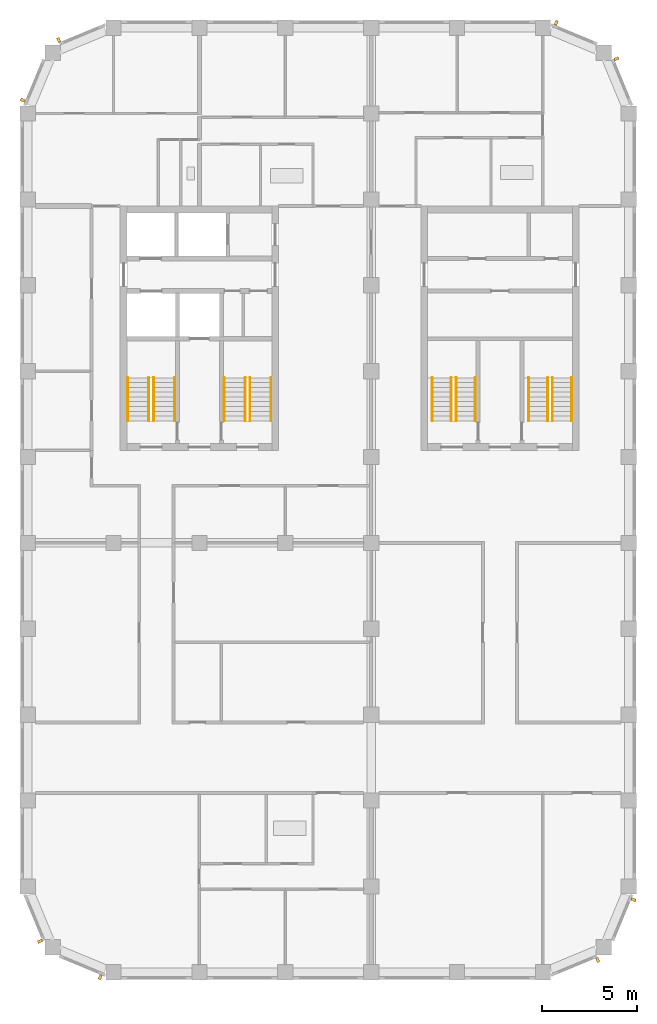
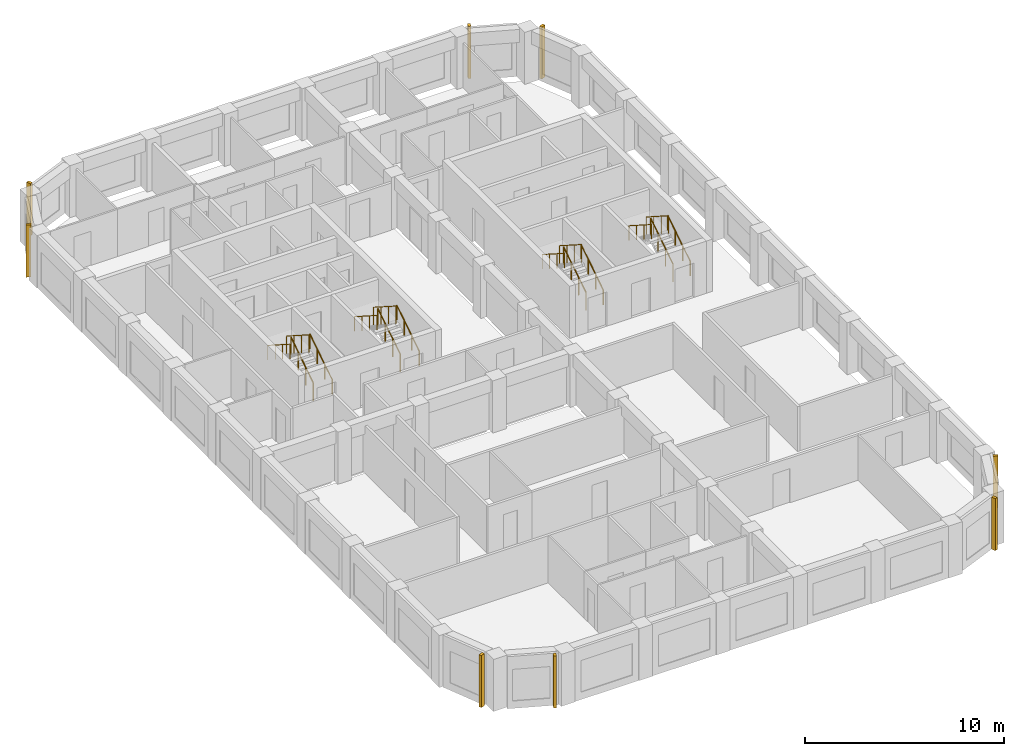
# One storey, part 8 of 9: 16 railings, 8 shading devices.
"""IFC4 building model written with IfcOpenShell, lengths in metres."""

from ifc_helpers import new_model, si_unit, direction, frame, origin, origin_2d, place, context, subcontext, project, spatial, rectangle, circle, extrude, material, type_object, element, save


model = new_model("IFC4")

# Units and contexts
model_context = context("Model", 3, precision=1e-05, world=origin(), true_north=direction((0.0, 1.0)))
body_context = subcontext(model_context, "Body", "Model", "MODEL_VIEW")
ifc_project = project(units=[si_unit("LENGTHUNIT", "METRE"), si_unit("AREAUNIT", "SQUARE_METRE"), si_unit("VOLUMEUNIT", "CUBIC_METRE"), si_unit("PLANEANGLEUNIT", "RADIAN"), si_unit("MASSUNIT", "GRAM", prefix="KILO")], contexts=[model_context])

# Site, building, storey
site_placement = place(None, origin())
site = spatial("IfcSite", under=ifc_project, at=site_placement, CompositionType="ELEMENT")
building_placement = place(site_placement, origin())
building = spatial("IfcBuilding", under=site, at=building_placement, Name="Girih Gate Residences", CompositionType="ELEMENT")
storey_placement = place(building_placement, frame((0.0, 0.0, 213.294921875)))
storey = spatial("IfcBuildingStorey", under=building, at=storey_placement, Name="L59", CompositionType="ELEMENT", Elevation=213.294921875)

# Shading devices
ifc_material_1 = material(Name="Precast concrete C50/60", Category="concrete")
shading_device_type = type_object("IfcShadingDeviceType", Name="Corner rib 150x250", PredefinedType="USERDEFINED", material=ifc_material_1)
for number, where, z_axis, x_axis, name in (
    (1, (29.867919921875, 0.646728515625, 0.0), (0.0, 0.0, 1.0), (0.923879532511, 0.382683432365, 0.0), "Corner rib SE0270_0000.0"),
    (2, (31.752685546875, 3.80322265625, 0.0), (0.0, 0.0, 1.0), (0.382683432365, 0.923879532511, 0.0), "Corner rib SE0302_0013.0"),
    (3, (30.853271484375, 47.867919921875, 0.0), (0.0, 0.0, 1.0), (-0.382683432365, 0.923879532511, 0.0), "Corner rib NE0315_0450.0"),
    (4, (27.69677734375, 49.752685546875, 0.0), (0.0, 0.0, 1.0), (-0.923879532511, 0.382683432365, 0.0), "Corner rib NE0302_0482.0"),
    (5, (1.632080078125, 48.853271484375, 0.0), (0.0, 0.0, 1.0), (-0.923879532511, -0.382683432365, 0.0), "Corner rib NW0045_0495.0"),
    (6, (-0.252685546875, 45.69677734375, 0.0), (0.0, 0.0, 1.0), (-0.382683432365, -0.923879532511, 0.0), "Corner rib NW0013_0482.0"),
    (7, (0.646728515625, 1.632080078125, 0.0), (0.0, 0.0, 1.0), (0.382683432365, -0.923879532511, 0.0), "Corner rib SW0000_0045.0"),
    (8, (3.80322265625, -0.252685546875, 0.0), (0.0, 0.0, 1.0), (0.923879532511, -0.382683432365, 0.0), "Corner rib SW0013_0013.0"),
):
    element("IfcShadingDevice", number, at=place(storey_placement, frame(where, z_axis=z_axis, x_axis=x_axis)), inside=storey, type_object=shading_device_type, Name=name, ObjectType="FIN", PredefinedType="USERDEFINED", context=body_context, shape_type="SweptSolid", body=[
        extrude(rectangle(XDim=0.14990234375, YDim=0.25, at=origin_2d()), origin(), (0.0, 0.0, 1.0), 3.199951171875),
    ])

# Railings
ifc_material_2 = material(Name="Stainless steel", Category="steel")
railing_type_1 = type_object("IfcRailingType", Name="Stair guard 1100", PredefinedType="GUARDRAIL", material=ifc_material_2)
railing_1_placement = place(storey_placement, frame((6.60009765625, 28.89990234375, 0.16015625)))
element("IfcRailing", 9, at=railing_1_placement, inside=storey, type_object=railing_type_1, Name="L59 ST-W1 stair guard 1", PredefinedType="GUARDRAIL", context=body_context, shape_type="SweptSolid", body=[
    extrude(circle(Radius=0.02392578125, at=origin_2d()), frame((0.0, 0.0, 1.076171875), z_axis=(0.0, 0.842281359387, 0.539038135598), x_axis=(-1.0, 0.0, 0.0)), (0.0, 0.0, 1.0), 2.67138671875),
    extrude(circle(Radius=0.02099609375, at=origin_2d()), origin(), (0.0, 0.0, 1.0), 1.052001953125),
    extrude(circle(Radius=0.02099609375, at=origin_2d()), frame((0.0, 0.75, 0.47998046875)), (0.0, 0.0, 1.0), 1.052001953125),
    extrude(circle(Radius=0.02099609375, at=origin_2d()), frame((0.0, 1.5, 0.9599609375)), (0.0, 0.0, 1.0), 1.052001953125),
    extrude(circle(Radius=0.02099609375, at=origin_2d()), frame((0.0, 2.25, 1.43994140625)), (0.0, 0.0, 1.0), 1.052001953125),
])
railing_2_placement = place(storey_placement, frame((6.35009765625, 31.14990234375, 1.760009765625)))
element("IfcRailing", 10, at=railing_2_placement, inside=storey, type_object=railing_type_1, Name="L59 ST-W1 stair guard 2", PredefinedType="GUARDRAIL", context=body_context, shape_type="SweptSolid", body=[
    extrude(circle(Radius=0.02392578125, at=origin_2d()), frame((0.0, 0.0, 1.076171875), z_axis=(0.0, -0.842239864353, 0.539102968731), x_axis=(1.0, 0.0, 0.0)), (0.0, 0.0, 1.0), 2.67138671875),
    extrude(circle(Radius=0.02099609375, at=origin_2d()), origin(), (0.0, 0.0, 1.0), 1.052001953125),
    extrude(circle(Radius=0.02099609375, at=origin_2d()), frame((0.0, -0.75, 0.47998046875)), (0.0, 0.0, 1.0), 1.052001953125),
    extrude(circle(Radius=0.02099609375, at=origin_2d()), frame((0.0, -1.5, 0.960205078125)), (0.0, 0.0, 1.0), 1.052001953125),
    extrude(circle(Radius=0.02099609375, at=origin_2d()), frame((0.0, -2.25, 1.440185546875)), (0.0, 0.0, 1.0), 1.052001953125),
])
railing_3_placement = place(storey_placement, frame((11.64990234375, 28.89990234375, 0.16015625)))
element("IfcRailing", 11, at=railing_3_placement, inside=storey, type_object=railing_type_1, Name="L59 ST-W2 stair guard 1", PredefinedType="GUARDRAIL", context=body_context, shape_type="SweptSolid", body=[
    extrude(circle(Radius=0.02392578125, at=origin_2d()), frame((0.0, 0.0, 1.076171875), z_axis=(0.0, 0.842281359387, 0.539038135598), x_axis=(-1.0, 0.0, 0.0)), (0.0, 0.0, 1.0), 2.67138671875),
    extrude(circle(Radius=0.02099609375, at=origin_2d()), origin(), (0.0, 0.0, 1.0), 1.052001953125),
    extrude(circle(Radius=0.02099609375, at=origin_2d()), frame((0.0, 0.75, 0.47998046875)), (0.0, 0.0, 1.0), 1.052001953125),
    extrude(circle(Radius=0.02099609375, at=origin_2d()), frame((0.0, 1.5, 0.9599609375)), (0.0, 0.0, 1.0), 1.052001953125),
    extrude(circle(Radius=0.02099609375, at=origin_2d()), frame((0.0, 2.25, 1.43994140625)), (0.0, 0.0, 1.0), 1.052001953125),
])
railing_4_placement = place(storey_placement, frame((11.39990234375, 31.14990234375, 1.760009765625)))
element("IfcRailing", 12, at=railing_4_placement, inside=storey, type_object=railing_type_1, Name="L59 ST-W2 stair guard 2", PredefinedType="GUARDRAIL", context=body_context, shape_type="SweptSolid", body=[
    extrude(circle(Radius=0.02392578125, at=origin_2d()), frame((0.0, 0.0, 1.076171875), z_axis=(0.0, -0.842239864353, 0.539102968731), x_axis=(1.0, 0.0, 0.0)), (0.0, 0.0, 1.0), 2.67138671875),
    extrude(circle(Radius=0.02099609375, at=origin_2d()), origin(), (0.0, 0.0, 1.0), 1.052001953125),
    extrude(circle(Radius=0.02099609375, at=origin_2d()), frame((0.0, -0.75, 0.47998046875)), (0.0, 0.0, 1.0), 1.052001953125),
    extrude(circle(Radius=0.02099609375, at=origin_2d()), frame((0.0, -1.5, 0.960205078125)), (0.0, 0.0, 1.0), 1.052001953125),
    extrude(circle(Radius=0.02099609375, at=origin_2d()), frame((0.0, -2.25, 1.440185546875)), (0.0, 0.0, 1.0), 1.052001953125),
])
railing_5_placement = place(storey_placement, frame((22.449951171875, 28.89990234375, 0.16015625)))
element("IfcRailing", 13, at=railing_5_placement, inside=storey, type_object=railing_type_1, Name="L59 ST-C1 stair guard 1", PredefinedType="GUARDRAIL", context=body_context, shape_type="SweptSolid", body=[
    extrude(circle(Radius=0.02392578125, at=origin_2d()), frame((0.0, 0.0, 1.076171875), z_axis=(0.0, 0.842281359387, 0.539038135598), x_axis=(-1.0, 0.0, 0.0)), (0.0, 0.0, 1.0), 2.67138671875),
    extrude(circle(Radius=0.02099609375, at=origin_2d()), origin(), (0.0, 0.0, 1.0), 1.052001953125),
    extrude(circle(Radius=0.02099609375, at=origin_2d()), frame((0.0, 0.75, 0.47998046875)), (0.0, 0.0, 1.0), 1.052001953125),
    extrude(circle(Radius=0.02099609375, at=origin_2d()), frame((0.0, 1.5, 0.9599609375)), (0.0, 0.0, 1.0), 1.052001953125),
    extrude(circle(Radius=0.02099609375, at=origin_2d()), frame((0.0, 2.25, 1.43994140625)), (0.0, 0.0, 1.0), 1.052001953125),
])
railing_6_placement = place(storey_placement, frame((22.199951171875, 31.14990234375, 1.760009765625)))
element("IfcRailing", 14, at=railing_6_placement, inside=storey, type_object=railing_type_1, Name="L59 ST-C1 stair guard 2", PredefinedType="GUARDRAIL", context=body_context, shape_type="SweptSolid", body=[
    extrude(circle(Radius=0.02392578125, at=origin_2d()), frame((0.0, 0.0, 1.076171875), z_axis=(0.0, -0.842239864353, 0.539102968731), x_axis=(1.0, 0.0, 0.0)), (0.0, 0.0, 1.0), 2.67138671875),
    extrude(circle(Radius=0.02099609375, at=origin_2d()), origin(), (0.0, 0.0, 1.0), 1.052001953125),
    extrude(circle(Radius=0.02099609375, at=origin_2d()), frame((0.0, -0.75, 0.47998046875)), (0.0, 0.0, 1.0), 1.052001953125),
    extrude(circle(Radius=0.02099609375, at=origin_2d()), frame((0.0, -1.5, 0.960205078125)), (0.0, 0.0, 1.0), 1.052001953125),
    extrude(circle(Radius=0.02099609375, at=origin_2d()), frame((0.0, -2.25, 1.440185546875)), (0.0, 0.0, 1.0), 1.052001953125),
])
railing_7_placement = place(storey_placement, frame((27.5, 28.89990234375, 0.16015625)))
element("IfcRailing", 15, at=railing_7_placement, inside=storey, type_object=railing_type_1, Name="L59 ST-C2 stair guard 1", PredefinedType="GUARDRAIL", context=body_context, shape_type="SweptSolid", body=[
    extrude(circle(Radius=0.02392578125, at=origin_2d()), frame((0.0, 0.0, 1.076171875), z_axis=(0.0, 0.842281359387, 0.539038135598), x_axis=(-1.0, 0.0, 0.0)), (0.0, 0.0, 1.0), 2.67138671875),
    extrude(circle(Radius=0.02099609375, at=origin_2d()), origin(), (0.0, 0.0, 1.0), 1.052001953125),
    extrude(circle(Radius=0.02099609375, at=origin_2d()), frame((0.0, 0.75, 0.47998046875)), (0.0, 0.0, 1.0), 1.052001953125),
    extrude(circle(Radius=0.02099609375, at=origin_2d()), frame((0.0, 1.5, 0.9599609375)), (0.0, 0.0, 1.0), 1.052001953125),
    extrude(circle(Radius=0.02099609375, at=origin_2d()), frame((0.0, 2.25, 1.43994140625)), (0.0, 0.0, 1.0), 1.052001953125),
])
railing_8_placement = place(storey_placement, frame((27.25, 31.14990234375, 1.760009765625)))
element("IfcRailing", 16, at=railing_8_placement, inside=storey, type_object=railing_type_1, Name="L59 ST-C2 stair guard 2", PredefinedType="GUARDRAIL", context=body_context, shape_type="SweptSolid", body=[
    extrude(circle(Radius=0.02392578125, at=origin_2d()), frame((0.0, 0.0, 1.076171875), z_axis=(0.0, -0.842239864353, 0.539102968731), x_axis=(1.0, 0.0, 0.0)), (0.0, 0.0, 1.0), 2.67138671875),
    extrude(circle(Radius=0.02099609375, at=origin_2d()), origin(), (0.0, 0.0, 1.0), 1.052001953125),
    extrude(circle(Radius=0.02099609375, at=origin_2d()), frame((0.0, -0.75, 0.47998046875)), (0.0, 0.0, 1.0), 1.052001953125),
    extrude(circle(Radius=0.02099609375, at=origin_2d()), frame((0.0, -1.5, 0.960205078125)), (0.0, 0.0, 1.0), 1.052001953125),
    extrude(circle(Radius=0.02099609375, at=origin_2d()), frame((0.0, -2.25, 1.440185546875)), (0.0, 0.0, 1.0), 1.052001953125),
])
railing_type_2 = type_object("IfcRailingType", Name="Stair handrail 900", PredefinedType="HANDRAIL", material=ifc_material_2)
railing_9_placement = place(storey_placement, frame((7.699951171875, 28.89990234375, 0.16015625)))
element("IfcRailing", 17, at=railing_9_placement, inside=storey, type_object=railing_type_2, Name="L59 ST-W1 stair handrail 1", PredefinedType="HANDRAIL", context=body_context, shape_type="SweptSolid", body=[
    extrude(circle(Radius=0.02392578125, at=origin_2d()), frame((0.0, 0.0, 0.8857421875), z_axis=(0.0, 0.842281359387, 0.539038135598), x_axis=(-1.0, 0.0, 0.0)), (0.0, 0.0, 1.0), 2.67138671875),
    extrude(circle(Radius=0.02099609375, at=origin_2d()), origin(), (0.0, 0.0, 1.0), 0.86181640625),
    extrude(circle(Radius=0.02099609375, at=origin_2d()), frame((0.0, 0.75, 0.47998046875)), (0.0, 0.0, 1.0), 0.86181640625),
    extrude(circle(Radius=0.02099609375, at=origin_2d()), frame((0.0, 1.5, 0.9599609375)), (0.0, 0.0, 1.0), 0.86181640625),
    extrude(circle(Radius=0.02099609375, at=origin_2d()), frame((0.0, 2.25, 1.43994140625)), (0.0, 0.0, 1.0), 0.86181640625),
])
railing_10_placement = place(storey_placement, frame((5.25, 31.14990234375, 1.760009765625)))
element("IfcRailing", 18, at=railing_10_placement, inside=storey, type_object=railing_type_2, Name="L59 ST-W1 stair handrail 2", PredefinedType="HANDRAIL", context=body_context, shape_type="SweptSolid", body=[
    extrude(circle(Radius=0.02392578125, at=origin_2d()), frame((0.0, 0.0, 0.8857421875), z_axis=(0.0, -0.842239864353, 0.539102968731), x_axis=(1.0, 0.0, 0.0)), (0.0, 0.0, 1.0), 2.67138671875),
    extrude(circle(Radius=0.02099609375, at=origin_2d()), origin(), (0.0, 0.0, 1.0), 0.86181640625),
    extrude(circle(Radius=0.02099609375, at=origin_2d()), frame((0.0, -0.75, 0.47998046875)), (0.0, 0.0, 1.0), 0.86181640625),
    extrude(circle(Radius=0.02099609375, at=origin_2d()), frame((0.0, -1.5, 0.960205078125)), (0.0, 0.0, 1.0), 0.86181640625),
    extrude(circle(Radius=0.02099609375, at=origin_2d()), frame((0.0, -2.25, 1.440185546875)), (0.0, 0.0, 1.0), 0.86181640625),
])
railing_11_placement = place(storey_placement, frame((12.75, 28.89990234375, 0.16015625)))
element("IfcRailing", 19, at=railing_11_placement, inside=storey, type_object=railing_type_2, Name="L59 ST-W2 stair handrail 1", PredefinedType="HANDRAIL", context=body_context, shape_type="SweptSolid", body=[
    extrude(circle(Radius=0.02392578125, at=origin_2d()), frame((0.0, 0.0, 0.8857421875), z_axis=(0.0, 0.842281359387, 0.539038135598), x_axis=(-1.0, 0.0, 0.0)), (0.0, 0.0, 1.0), 2.67138671875),
    extrude(circle(Radius=0.02099609375, at=origin_2d()), origin(), (0.0, 0.0, 1.0), 0.86181640625),
    extrude(circle(Radius=0.02099609375, at=origin_2d()), frame((0.0, 0.75, 0.47998046875)), (0.0, 0.0, 1.0), 0.86181640625),
    extrude(circle(Radius=0.02099609375, at=origin_2d()), frame((0.0, 1.5, 0.9599609375)), (0.0, 0.0, 1.0), 0.86181640625),
    extrude(circle(Radius=0.02099609375, at=origin_2d()), frame((0.0, 2.25, 1.43994140625)), (0.0, 0.0, 1.0), 0.86181640625),
])
railing_12_placement = place(storey_placement, frame((10.300048828125, 31.14990234375, 1.760009765625)))
element("IfcRailing", 20, at=railing_12_placement, inside=storey, type_object=railing_type_2, Name="L59 ST-W2 stair handrail 2", PredefinedType="HANDRAIL", context=body_context, shape_type="SweptSolid", body=[
    extrude(circle(Radius=0.02392578125, at=origin_2d()), frame((0.0, 0.0, 0.8857421875), z_axis=(0.0, -0.842239864353, 0.539102968731), x_axis=(1.0, 0.0, 0.0)), (0.0, 0.0, 1.0), 2.67138671875),
    extrude(circle(Radius=0.02099609375, at=origin_2d()), origin(), (0.0, 0.0, 1.0), 0.86181640625),
    extrude(circle(Radius=0.02099609375, at=origin_2d()), frame((0.0, -0.75, 0.47998046875)), (0.0, 0.0, 1.0), 0.86181640625),
    extrude(circle(Radius=0.02099609375, at=origin_2d()), frame((0.0, -1.5, 0.960205078125)), (0.0, 0.0, 1.0), 0.86181640625),
    extrude(circle(Radius=0.02099609375, at=origin_2d()), frame((0.0, -2.25, 1.440185546875)), (0.0, 0.0, 1.0), 0.86181640625),
])
railing_13_placement = place(storey_placement, frame((23.449951171875, 28.89990234375, 0.16015625)))
element("IfcRailing", 21, at=railing_13_placement, inside=storey, type_object=railing_type_2, Name="L59 ST-C1 stair handrail 1", PredefinedType="HANDRAIL", context=body_context, shape_type="SweptSolid", body=[
    extrude(circle(Radius=0.02392578125, at=origin_2d()), frame((0.0, 0.0, 0.8857421875), z_axis=(0.0, 0.842281359387, 0.539038135598), x_axis=(-1.0, 0.0, 0.0)), (0.0, 0.0, 1.0), 2.67138671875),
    extrude(circle(Radius=0.02099609375, at=origin_2d()), origin(), (0.0, 0.0, 1.0), 0.86181640625),
    extrude(circle(Radius=0.02099609375, at=origin_2d()), frame((0.0, 0.75, 0.47998046875)), (0.0, 0.0, 1.0), 0.86181640625),
    extrude(circle(Radius=0.02099609375, at=origin_2d()), frame((0.0, 1.5, 0.9599609375)), (0.0, 0.0, 1.0), 0.86181640625),
    extrude(circle(Radius=0.02099609375, at=origin_2d()), frame((0.0, 2.25, 1.43994140625)), (0.0, 0.0, 1.0), 0.86181640625),
])
railing_14_placement = place(storey_placement, frame((21.199951171875, 31.14990234375, 1.760009765625)))
element("IfcRailing", 22, at=railing_14_placement, inside=storey, type_object=railing_type_2, Name="L59 ST-C1 stair handrail 2", PredefinedType="HANDRAIL", context=body_context, shape_type="SweptSolid", body=[
    extrude(circle(Radius=0.02392578125, at=origin_2d()), frame((0.0, 0.0, 0.8857421875), z_axis=(0.0, -0.842239864353, 0.539102968731), x_axis=(1.0, 0.0, 0.0)), (0.0, 0.0, 1.0), 2.67138671875),
    extrude(circle(Radius=0.02099609375, at=origin_2d()), origin(), (0.0, 0.0, 1.0), 0.86181640625),
    extrude(circle(Radius=0.02099609375, at=origin_2d()), frame((0.0, -0.75, 0.47998046875)), (0.0, 0.0, 1.0), 0.86181640625),
    extrude(circle(Radius=0.02099609375, at=origin_2d()), frame((0.0, -1.5, 0.960205078125)), (0.0, 0.0, 1.0), 0.86181640625),
    extrude(circle(Radius=0.02099609375, at=origin_2d()), frame((0.0, -2.25, 1.440185546875)), (0.0, 0.0, 1.0), 0.86181640625),
])
railing_15_placement = place(storey_placement, frame((28.5, 28.89990234375, 0.16015625)))
element("IfcRailing", 23, at=railing_15_placement, inside=storey, type_object=railing_type_2, Name="L59 ST-C2 stair handrail 1", PredefinedType="HANDRAIL", context=body_context, shape_type="SweptSolid", body=[
    extrude(circle(Radius=0.02392578125, at=origin_2d()), frame((0.0, 0.0, 0.8857421875), z_axis=(0.0, 0.842281359387, 0.539038135598), x_axis=(-1.0, 0.0, 0.0)), (0.0, 0.0, 1.0), 2.67138671875),
    extrude(circle(Radius=0.02099609375, at=origin_2d()), origin(), (0.0, 0.0, 1.0), 0.86181640625),
    extrude(circle(Radius=0.02099609375, at=origin_2d()), frame((0.0, 0.75, 0.47998046875)), (0.0, 0.0, 1.0), 0.86181640625),
    extrude(circle(Radius=0.02099609375, at=origin_2d()), frame((0.0, 1.5, 0.9599609375)), (0.0, 0.0, 1.0), 0.86181640625),
    extrude(circle(Radius=0.02099609375, at=origin_2d()), frame((0.0, 2.25, 1.43994140625)), (0.0, 0.0, 1.0), 0.86181640625),
])
railing_16_placement = place(storey_placement, frame((26.25, 31.14990234375, 1.760009765625)))
element("IfcRailing", 24, at=railing_16_placement, inside=storey, type_object=railing_type_2, Name="L59 ST-C2 stair handrail 2", PredefinedType="HANDRAIL", context=body_context, shape_type="SweptSolid", body=[
    extrude(circle(Radius=0.02392578125, at=origin_2d()), frame((0.0, 0.0, 0.8857421875), z_axis=(0.0, -0.842239864353, 0.539102968731), x_axis=(1.0, 0.0, 0.0)), (0.0, 0.0, 1.0), 2.67138671875),
    extrude(circle(Radius=0.02099609375, at=origin_2d()), origin(), (0.0, 0.0, 1.0), 0.86181640625),
    extrude(circle(Radius=0.02099609375, at=origin_2d()), frame((0.0, -0.75, 0.47998046875)), (0.0, 0.0, 1.0), 0.86181640625),
    extrude(circle(Radius=0.02099609375, at=origin_2d()), frame((0.0, -1.5, 0.960205078125)), (0.0, 0.0, 1.0), 0.86181640625),
    extrude(circle(Radius=0.02099609375, at=origin_2d()), frame((0.0, -2.25, 1.440185546875)), (0.0, 0.0, 1.0), 0.86181640625),
])

save(model, "model.ifc")
